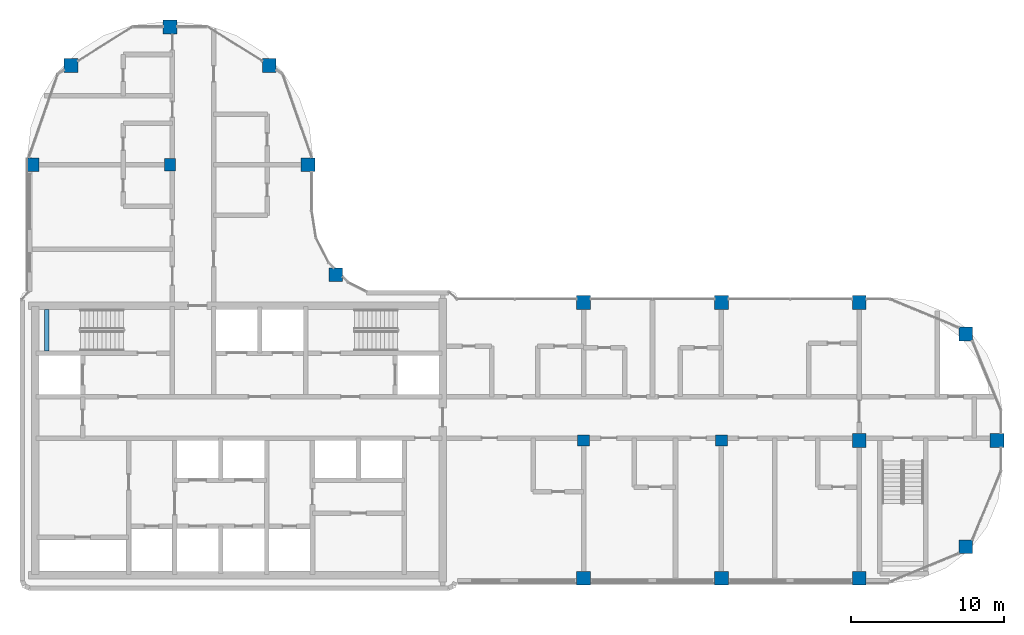
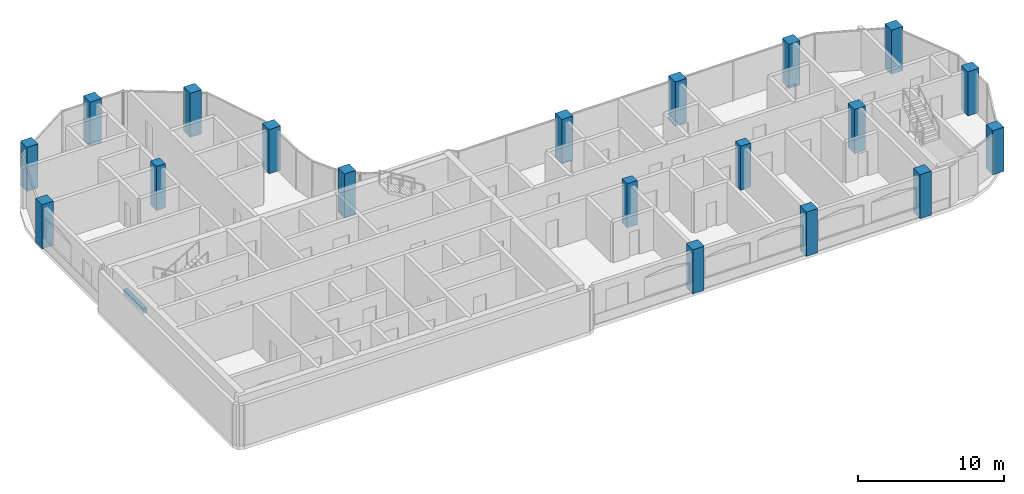
# One storey, part 1 of 17: 19 columns, 1 beam.
"""IFC4 building model written with IfcOpenShell, lengths in metres."""

from ifc_helpers import new_model, si_unit, direction, frame, origin, origin_2d, place, context, subcontext, project, spatial, rectangle, extrude, material, material_profile, profile_set, type_object, element, save


model = new_model("IFC4")

# Units and contexts
model_context = context("Model", 3, precision=1e-05, world=origin(), true_north=direction((0.0, 1.0)))
body_context = subcontext(model_context, "Body", "Model", "MODEL_VIEW")
ifc_project = project(units=[si_unit("LENGTHUNIT", "METRE"), si_unit("AREAUNIT", "SQUARE_METRE"), si_unit("VOLUMEUNIT", "CUBIC_METRE"), si_unit("PLANEANGLEUNIT", "RADIAN"), si_unit("MASSUNIT", "GRAM", prefix="KILO")], contexts=[model_context])

# Site, building, storey
site_placement = place(None, origin())
site = spatial("IfcSite", under=ifc_project, at=site_placement, CompositionType="ELEMENT")
building_placement = place(site_placement, origin())
building = spatial("IfcBuilding", under=site, at=building_placement, Name="Ogive Portal Towers", CompositionType="ELEMENT")
storey_placement = place(building_placement, frame((0.0, 0.0, 221.699951171875)))
storey = spatial("IfcBuildingStorey", under=building, at=storey_placement, Name="L55", CompositionType="ELEMENT", Elevation=221.699951171875)

# Columns
ifc_material_1 = material(Name="Concrete C60/75", Category="concrete")
ifc_material_profile_1 = material_profile(ifc_material_1, rectangle(XDim=0.800048828125, YDim=0.699951171875, at=origin_2d()), Name="RC 800x700")
ifc_profile_set_1 = profile_set([ifc_material_profile_1], Name="Concrete C60/75")
column_type_1 = type_object("IfcColumnType", Name="COLUMN RC 800x700", PredefinedType="COLUMN", material=ifc_profile_set_1)
for number, where, z_axis, x_axis, name in (
    (1, (67.5, 30.5, 0.0), (0.0, 0.0, 1.0), (1.0, 0.0, 0.0), "Column 5/B L55"),
    (2, (76.5, 30.5, 0.0), (0.0, 0.0, 1.0), (1.0, 0.0, 0.0), "Column 6/B L55"),
    (3, (40.5, 48.5, 0.0), (0.0, 0.0, 1.0), (0.0, 1.0, 0.0), "Column 2/D L55"),
):
    element("IfcColumn", number, at=place(storey_placement, frame(where, z_axis=z_axis, x_axis=x_axis)), inside=storey, type_object=column_type_1, Name=name, PredefinedType="COLUMN", context=body_context, shape_type="SweptSolid", body=[
        extrude(rectangle(XDim=0.800048828125, YDim=0.699951171875, at=origin_2d()), origin(), (0.0, 0.0, 1.0), 3.699951171875),
    ])
ifc_material_profile_2 = material_profile(ifc_material_1, rectangle(XDim=0.89990234375, YDim=0.89990234375, at=origin_2d()), Name="RC 900x900")
ifc_profile_set_2 = profile_set([ifc_material_profile_2], Name="Concrete C60/75")
column_type_2 = type_object("IfcColumnType", Name="COLUMN RC 900x900", PredefinedType="COLUMN", material=ifc_profile_set_2)
for number, where, z_axis, x_axis, name in (
    (4, (67.5, 21.5, 0.0), (0.0, 0.0, 1.0), (1.0, 0.0, 0.0), "Column 5/A L55"),
    (5, (76.5, 21.5, 0.0), (0.0, 0.0, 1.0), (1.0, 0.0, 0.0), "Column 6/A L55"),
    (6, (85.5, 21.5, 0.0), (0.0, 0.0, 1.0), (1.0, 0.0, 0.0), "Column 7/A L55"),
    (7, (92.449951171875, 23.550048828125, 0.0), (0.0, 0.0, 1.0), (1.0, 0.0, 0.0), "Column L55"),
    (8, (85.5, 30.5, 0.0), (0.0, 0.0, 1.0), (1.0, 0.0, 0.0), "Column 7/B L55"),
    (9, (94.5, 30.5, 0.0), (0.0, 0.0, 1.0), (1.0, 0.0, 0.0), "Column 8/B L55"),
    (10, (92.449951171875, 37.449951171875, 0.0), (0.0, 0.0, 1.0), (1.0, 0.0, 0.0), "Column L55"),
    (11, (67.5, 39.5, 0.0), (0.0, 0.0, 1.0), (1.0, 0.0, 0.0), "Column 5/C L55"),
    (12, (76.5, 39.5, 0.0), (0.0, 0.0, 1.0), (1.0, 0.0, 0.0), "Column 6/C L55"),
    (13, (85.5, 39.5, 0.0), (0.0, 0.0, 1.0), (1.0, 0.0, 0.0), "Column 7/C L55"),
    (14, (51.31005859375, 41.31005859375, 0.0), (0.0, 0.0, 1.0), (1.0, 0.0, 0.0), "Column L55"),
    (15, (31.5, 48.5, 0.0), (0.0, 0.0, 1.0), (1.0, 0.0, 0.0), "Column 1/D L55"),
    (16, (49.5, 48.5, 0.0), (0.0, 0.0, 1.0), (1.0, 0.0, 0.0), "Column 3/D L55"),
    (17, (34.027099609375, 54.972900390625, 0.0), (0.0, 0.0, 1.0), (1.0, 0.0, 0.0), "Column L55"),
    (18, (46.972900390625, 54.972900390625, 0.0), (0.0, 0.0, 1.0), (1.0, 0.0, 0.0), "Column L55"),
    (19, (40.5, 57.5, 0.0), (0.0, 0.0, 1.0), (1.0, 0.0, 0.0), "Column 2/E L55"),
):
    element("IfcColumn", number, at=place(storey_placement, frame(where, z_axis=z_axis, x_axis=x_axis)), inside=storey, type_object=column_type_2, Name=name, PredefinedType="COLUMN", context=body_context, shape_type="SweptSolid", body=[
        extrude(rectangle(XDim=0.89990234375, YDim=0.89990234375, at=origin_2d()), origin(), (0.0, 0.0, 1.0), 3.699951171875),
    ])

# Beam
ifc_material_2 = material(Name="Concrete C40/50", Category="concrete")
ifc_material_profile_3 = material_profile(ifc_material_2, rectangle(XDim=0.300048828125, YDim=0.39990234375, at=origin_2d()), Name="RC 300x400")
ifc_profile_set_3 = profile_set([ifc_material_profile_3], Name="Concrete C40/50")
beam_type = type_object("IfcBeamType", Name="BEAM RC 300x400", PredefinedType="BEAM", material=ifc_profile_set_3)
beam_placement = place(storey_placement, frame((32.449951171875, 36.35009765625, 1.449951171875), z_axis=(0.0, 1.0, 0.0), x_axis=(-1.0, 0.0, 0.0)))
element("IfcBeam", 20, at=beam_placement, inside=storey, type_object=beam_type, Name="Landing beam L55", PredefinedType="BEAM", context=body_context, shape_type="SweptSolid", body=[
    extrude(rectangle(XDim=0.300048828125, YDim=0.39990234375, at=origin_2d()), origin(), (0.0, 0.0, 1.0), 2.699951171875),
])

save(model, "model.ifc")
